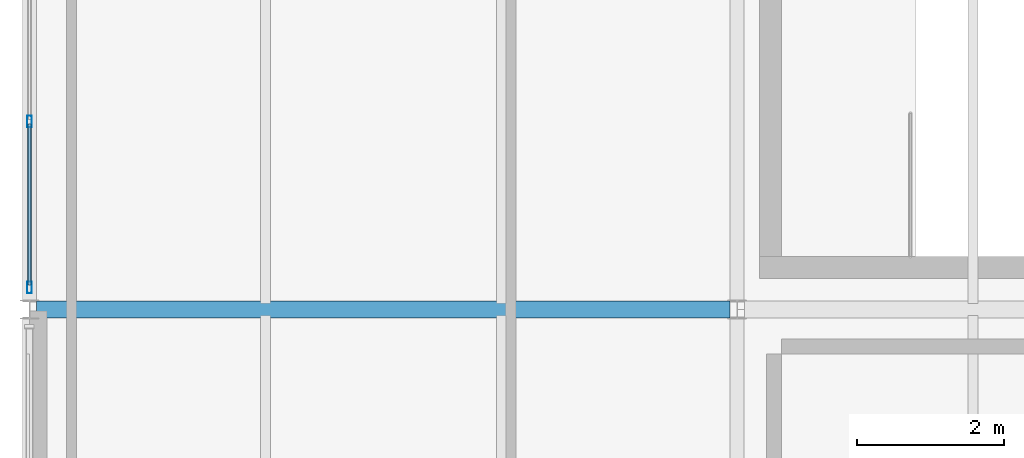
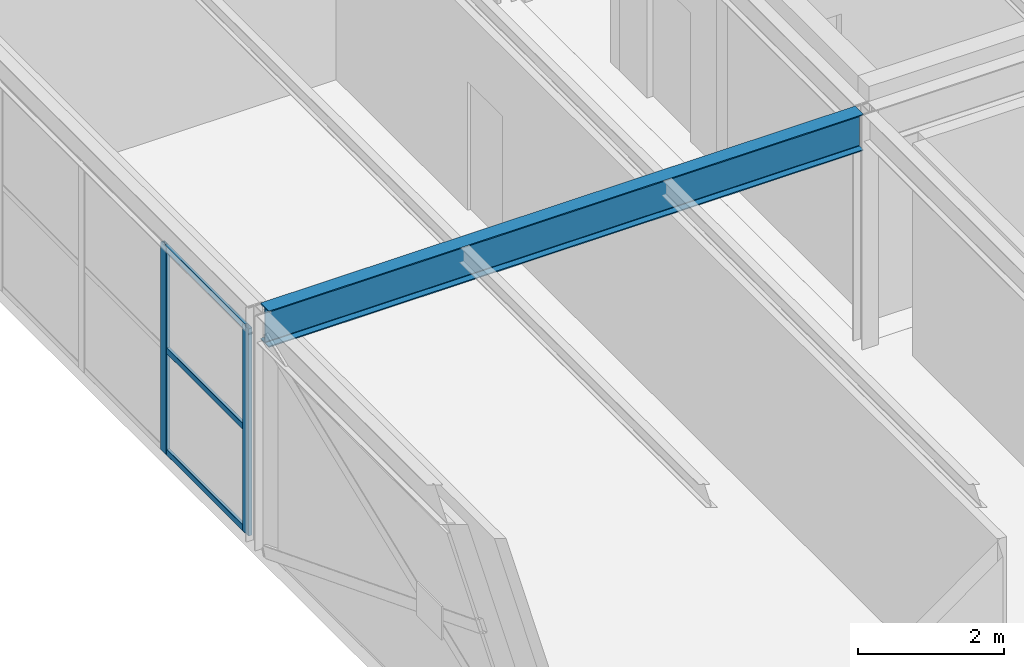
# One storey, part 14 of 33: 5 members, 1 beam, 1 element without a shape of its own.
"""IFC4 building model written with IfcOpenShell, lengths in metres."""

from ifc_helpers import new_model, si_unit, direction, frame, origin, origin_2d, place, context, subcontext, project, spatial, hollow_rectangle, i_section, extrude, material, material_profile, profile_set, type_object, element, aggregate, save


model = new_model("IFC4")

# Units and contexts
model_context = context("Model", 3, precision=1e-05, world=origin(), true_north=direction((0.0, 1.0)))
body_context = subcontext(model_context, "Body", "Model", "MODEL_VIEW")
ifc_project = project(units=[si_unit("LENGTHUNIT", "METRE"), si_unit("AREAUNIT", "SQUARE_METRE"), si_unit("VOLUMEUNIT", "CUBIC_METRE"), si_unit("PLANEANGLEUNIT", "RADIAN"), si_unit("MASSUNIT", "GRAM", prefix="KILO")], contexts=[model_context])

# Site, building, storey
site_placement = place(None, origin())
site = spatial("IfcSite", under=ifc_project, at=site_placement, CompositionType="ELEMENT")
building_placement = place(site_placement, origin())
building = spatial("IfcBuilding", under=site, at=building_placement, Name="Coralgate Yard Interchange", CompositionType="ELEMENT")
storey_placement = place(building_placement, frame((0.0, 0.0, 23.10009765625)))
storey = spatial("IfcBuildingStorey", under=building, at=storey_placement, Name="L05", CompositionType="ELEMENT", Elevation=23.10009765625)

# Beam
ifc_material_1 = material(Name="Structural steel S355J2", Category="steel")
ifc_material_profile_1 = material_profile(ifc_material_1, i_section(OverallWidth=0.228271484375, OverallDepth=0.607666015625, WebThickness=0.010986328125, FlangeThickness=0.017333984375, FilletRadius=0.0126953125, at=origin_2d()), Name="UB 610x229x113")
ifc_profile_set_1 = profile_set([ifc_material_profile_1], Name="Structural steel S355J2")
beam_type = type_object("IfcBeamType", Name="BM-SG-5", PredefinedType="BEAM", material=ifc_profile_set_1)
beam_placement = place(storey_placement, frame((0.09814453125, 28.800048828125, 3.6162109375), z_axis=(1.0, 0.0, 0.0), x_axis=(0.0, 1.0, 0.0)))
element("IfcBeam", 1, at=beam_placement, inside=storey, type_object=beam_type, Name="L05 primary grid beam Y3 X0-1", PredefinedType="BEAM", context=body_context, shape_type="SweptSolid", body=[
    extrude(i_section(OverallWidth=0.228271484375, OverallDepth=0.607666015625, WebThickness=0.010986328125, FlangeThickness=0.017333984375, FilletRadius=0.0126953125, at=origin_2d()), origin(), (0.0, 0.0, 1.0), 9.403564453125),
])

# Curtain wall, members
ifc_material_2 = material(Name="Anodised coastal aluminium and solar-control low-E glass", Category="aluminium")
curtain_wall_type = type_object("IfcCurtainWallType", Name="CW-CW-L05-A", PredefinedType="NOTDEFINED", material=ifc_material_2)
curtain_wall_placement = place(storey_placement, origin())
curtain_wall = element("IfcCurtainWall", 2, at=curtain_wall_placement, inside=storey, type_object=curtain_wall_type, Name="L05 unitised curtain wall CW-L05-W-00-03", PredefinedType="NOTDEFINED")
ifc_material_3 = material(Name="Anodised coastal aluminium 6063-T6", Category="aluminium")
ifc_material_profile_2 = material_profile(ifc_material_3, hollow_rectangle(XDim=0.06494140625, YDim=0.159912109375, WallThickness=0.00390625, InnerFilletRadius=0.00390625, OuterFilletRadius=0.008056640625, at=origin_2d()), Name="ALU 65x160x4")
ifc_profile_set_2 = profile_set([ifc_material_profile_2], Name="Anodised coastal aluminium 6063-T6")
member_type_1 = type_object("IfcMemberType", Name="MB-MUL-160", PredefinedType="MULLION", material=ifc_profile_set_2)
member_1_placement = place(storey_placement, frame((0.0, 29.10009765625, 0.0), z_axis=(0.0, 0.0, 1.0), x_axis=(1.0, 0.0, 0.0)))
member_1 = element("IfcMember", 3, at=member_1_placement, type_object=member_type_1, Name="CW-L05-W-00-03 vertical mullion 1", PredefinedType="MULLION", context=body_context, shape_type="SweptSolid", body=[
    extrude(hollow_rectangle(XDim=0.06494140625, YDim=0.159912109375, WallThickness=0.00390625, InnerFilletRadius=0.00390625, OuterFilletRadius=0.008056640625, at=origin_2d()), origin(), (0.0, 0.0, 1.0), 3.462890625),
])
member_2_placement = place(storey_placement, frame((0.0, 31.35009765625, 0.0), z_axis=(0.0, 0.0, 1.0), x_axis=(1.0, 0.0, 0.0)))
member_2 = element("IfcMember", 4, at=member_2_placement, type_object=member_type_1, Name="CW-L05-W-00-03 vertical mullion 2", PredefinedType="MULLION", context=body_context, shape_type="SweptSolid", body=[
    extrude(hollow_rectangle(XDim=0.06494140625, YDim=0.159912109375, WallThickness=0.00390625, InnerFilletRadius=0.00390625, OuterFilletRadius=0.008056640625, at=origin_2d()), origin(), (0.0, 0.0, 1.0), 3.462890625),
])
ifc_material_profile_3 = material_profile(ifc_material_3, hollow_rectangle(XDim=0.050048828125, YDim=0.10009765625, WallThickness=0.0029296875, InnerFilletRadius=0.0029296875, OuterFilletRadius=0.006103515625, at=origin_2d()), Name="ALU 50x100x3")
ifc_profile_set_3 = profile_set([ifc_material_profile_3], Name="Anodised coastal aluminium 6063-T6")
member_type_2 = type_object("IfcMemberType", Name="MB-TRN-100", PredefinedType="USERDEFINED", material=ifc_profile_set_3)
member_3_placement = place(storey_placement, frame((0.0, 29.1298828125, 0.034912109375), z_axis=(0.0, 1.0, 0.0), x_axis=(-1.0, 0.0, 0.0)))
member_3 = element("IfcMember", 5, at=member_3_placement, type_object=member_type_2, Name="CW-L05-W-00-03 horizontal transom 1-1", ObjectType="TRANSOM", PredefinedType="USERDEFINED", context=body_context, shape_type="SweptSolid", body=[
    extrude(hollow_rectangle(XDim=0.050048828125, YDim=0.10009765625, WallThickness=0.0029296875, InnerFilletRadius=0.0029296875, OuterFilletRadius=0.006103515625, at=origin_2d()), origin(), (0.0, 0.0, 1.0), 2.190185546875),
])
member_4_placement = place(storey_placement, frame((0.0, 29.1298828125, 1.7314453125), z_axis=(0.0, 1.0, 0.0), x_axis=(-1.0, 0.0, 0.0)))
member_4 = element("IfcMember", 6, at=member_4_placement, type_object=member_type_2, Name="CW-L05-W-00-03 horizontal transom 1-2", ObjectType="TRANSOM", PredefinedType="USERDEFINED", context=body_context, shape_type="SweptSolid", body=[
    extrude(hollow_rectangle(XDim=0.050048828125, YDim=0.10009765625, WallThickness=0.0029296875, InnerFilletRadius=0.0029296875, OuterFilletRadius=0.006103515625, at=origin_2d()), origin(), (0.0, 0.0, 1.0), 2.190185546875),
])
member_5_placement = place(storey_placement, frame((0.0, 29.1298828125, 3.427978515625), z_axis=(0.0, 1.0, 0.0), x_axis=(-1.0, 0.0, 0.0)))
member_5 = element("IfcMember", 7, at=member_5_placement, type_object=member_type_2, Name="CW-L05-W-00-03 horizontal transom 1-3", ObjectType="TRANSOM", PredefinedType="USERDEFINED", context=body_context, shape_type="SweptSolid", body=[
    extrude(hollow_rectangle(XDim=0.050048828125, YDim=0.10009765625, WallThickness=0.0029296875, InnerFilletRadius=0.0029296875, OuterFilletRadius=0.006103515625, at=origin_2d()), origin(), (0.0, 0.0, 1.0), 2.190185546875),
])
aggregate(curtain_wall, [member_1, member_2, member_3, member_4, member_5])

save(model, "model.ifc")
